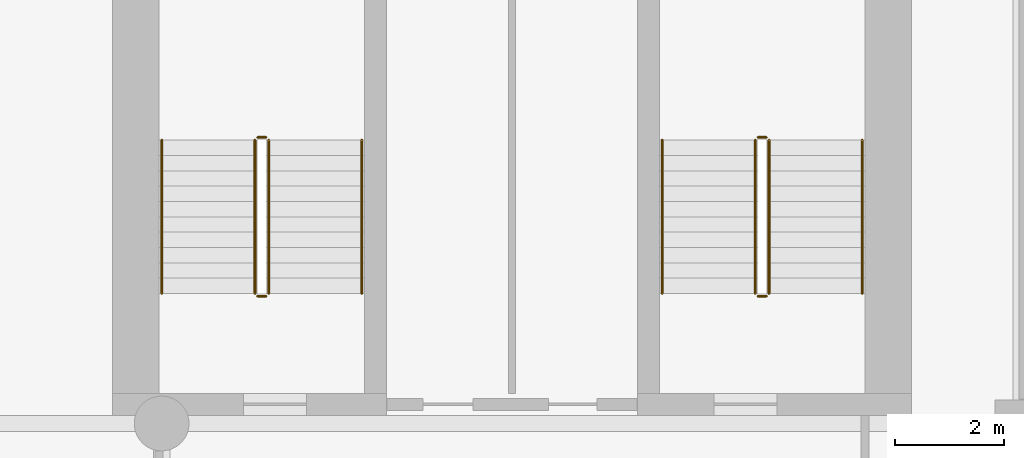
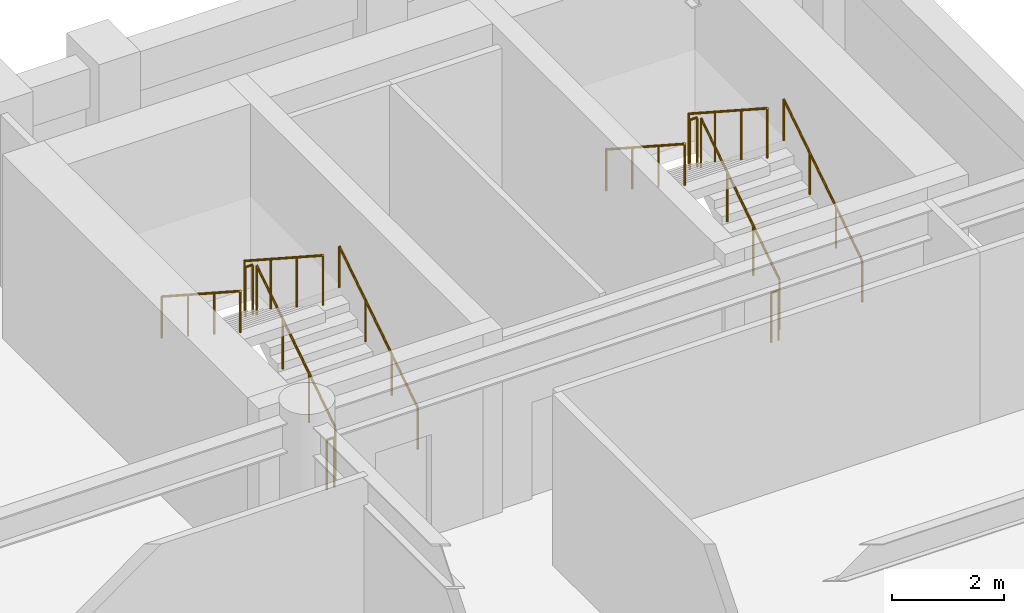
# One storey, part 8 of 8: 12 railings.
"""IFC4 building model written with IfcOpenShell, lengths in metres."""

from ifc_helpers import new_model, si_unit, direction, frame, origin, origin_2d, place, context, subcontext, project, spatial, circle, extrude, material, type_object, element, save


model = new_model("IFC4")

# Units and contexts
model_context = context("Model", 3, precision=1e-05, world=origin(), true_north=direction((0.0, 1.0)))
body_context = subcontext(model_context, "Body", "Model", "MODEL_VIEW")
ifc_project = project(units=[si_unit("LENGTHUNIT", "METRE"), si_unit("AREAUNIT", "SQUARE_METRE"), si_unit("VOLUMEUNIT", "CUBIC_METRE"), si_unit("PLANEANGLEUNIT", "RADIAN"), si_unit("MASSUNIT", "GRAM", prefix="KILO")], contexts=[model_context])

# Site, building, storey
site_placement = place(None, origin())
site = spatial("IfcSite", under=ifc_project, at=site_placement, CompositionType="ELEMENT")
building_placement = place(site_placement, origin())
building = spatial("IfcBuilding", under=site, at=building_placement, Name="Sulina Concourse Tower", CompositionType="ELEMENT")
storey_placement = place(building_placement, frame((0.0, 0.0, 132.60009765625)))
storey = spatial("IfcBuildingStorey", under=building, at=storey_placement, Name="L32", CompositionType="ELEMENT", Elevation=132.60009765625)

# Railings
ifc_material_1 = material(Name="Galvanised steel railing", Category="steel")
railing_type_1 = type_object("IfcRailingType", Name="Core Stair Steel Guardrail 1150mm", PredefinedType="GUARDRAIL", material=ifc_material_1)
railing_1_placement = place(storey_placement, frame((43.554931640625, 36.375, 0.181640625)))
element("IfcRailing", 1, at=railing_1_placement, inside=storey, type_object=railing_type_1, Name="L32 ST-3 stair guard 1", PredefinedType="GUARDRAIL", context=body_context, shape_type="SweptSolid", body=[
    extrude(circle(Radius=0.02392578125, at=origin_2d()), frame((0.0, 0.0, 1.076171875), z_axis=(0.0, 0.838672427954, 0.544636170843), x_axis=(-1.0, 0.0, 0.0)), (0.0, 0.0, 1.0), 3.338623046875),
    extrude(circle(Radius=0.02099609375, at=origin_2d()), origin(), (0.0, 0.0, 1.0), 1.052001953125),
    extrude(circle(Radius=0.02099609375, at=origin_2d()), frame((0.0, 0.933349609375, 0.606201171875)), (0.0, 0.0, 1.0), 1.052001953125),
    extrude(circle(Radius=0.02099609375, at=origin_2d()), frame((0.0, 1.86669921875, 1.212158203125)), (0.0, 0.0, 1.0), 1.052001953125),
    extrude(circle(Radius=0.02099609375, at=origin_2d()), frame((0.0, 2.800048828125, 1.818359375)), (0.0, 0.0, 1.0), 1.052001953125),
])
railing_2_placement = place(storey_placement, frame((43.5048828125, 39.22509765625, 2.0)))
element("IfcRailing", 2, at=railing_2_placement, inside=storey, type_object=railing_type_1, Name="L32 ST-3 stair guard 2", PredefinedType="GUARDRAIL", context=body_context, shape_type="SweptSolid", body=[
    extrude(circle(Radius=0.02392578125, at=origin_2d()), frame((0.0, 0.0, 1.076171875), z_axis=(-1.0, 0.0, 0.0), x_axis=(0.0, -1.0, 0.0)), (0.0, 0.0, 1.0), 0.14990234375),
    extrude(circle(Radius=0.02099609375, at=origin_2d()), origin(), (0.0, 0.0, 1.0), 1.052001953125),
    extrude(circle(Radius=0.02099609375, at=origin_2d()), frame((-0.14990234375, 0.0, 0.0)), (0.0, 0.0, 1.0), 1.052001953125),
])
railing_3_placement = place(storey_placement, frame((43.304931640625, 39.175048828125, 2.181640625)))
element("IfcRailing", 3, at=railing_3_placement, inside=storey, type_object=railing_type_1, Name="L32 ST-3 stair guard 3", PredefinedType="GUARDRAIL", context=body_context, shape_type="SweptSolid", body=[
    extrude(circle(Radius=0.02392578125, at=origin_2d()), frame((0.0, 0.0, 1.076171875), z_axis=(0.0, -0.838672427954, 0.544636170843), x_axis=(1.0, 0.0, 0.0)), (0.0, 0.0, 1.0), 3.338623046875),
    extrude(circle(Radius=0.02099609375, at=origin_2d()), origin(), (0.0, 0.0, 1.0), 1.052001953125),
    extrude(circle(Radius=0.02099609375, at=origin_2d()), frame((0.0, -0.933349609375, 0.606201171875)), (0.0, 0.0, 1.0), 1.052001953125),
    extrude(circle(Radius=0.02099609375, at=origin_2d()), frame((0.0, -1.86669921875, 1.212158203125)), (0.0, 0.0, 1.0), 1.052001953125),
    extrude(circle(Radius=0.02099609375, at=origin_2d()), frame((0.0, -2.800048828125, 1.818359375)), (0.0, 0.0, 1.0), 1.052001953125),
])
railing_4_placement = place(storey_placement, frame((43.5048828125, 36.324951171875, 0.0)))
element("IfcRailing", 4, at=railing_4_placement, inside=storey, type_object=railing_type_1, Name="L32 ST-3 stair guard 4", PredefinedType="GUARDRAIL", context=body_context, shape_type="SweptSolid", body=[
    extrude(circle(Radius=0.02392578125, at=origin_2d()), frame((0.0, 0.0, 1.076171875), z_axis=(-1.0, 0.0, 0.0), x_axis=(0.0, -1.0, 0.0)), (0.0, 0.0, 1.0), 0.14990234375),
    extrude(circle(Radius=0.02099609375, at=origin_2d()), origin(), (0.0, 0.0, 1.0), 1.052001953125),
    extrude(circle(Radius=0.02099609375, at=origin_2d()), frame((-0.14990234375, 0.0, 0.0)), (0.0, 0.0, 1.0), 1.052001953125),
])
railing_5_placement = place(storey_placement, frame((52.695068359375, 36.375, 0.181640625)))
element("IfcRailing", 5, at=railing_5_placement, inside=storey, type_object=railing_type_1, Name="L32 ST-4 stair guard 1", PredefinedType="GUARDRAIL", context=body_context, shape_type="SweptSolid", body=[
    extrude(circle(Radius=0.02392578125, at=origin_2d()), frame((0.0, 0.0, 1.076171875), z_axis=(0.0, 0.838672427954, 0.544636170843), x_axis=(-1.0, 0.0, 0.0)), (0.0, 0.0, 1.0), 3.338623046875),
    extrude(circle(Radius=0.02099609375, at=origin_2d()), origin(), (0.0, 0.0, 1.0), 1.052001953125),
    extrude(circle(Radius=0.02099609375, at=origin_2d()), frame((0.0, 0.933349609375, 0.606201171875)), (0.0, 0.0, 1.0), 1.052001953125),
    extrude(circle(Radius=0.02099609375, at=origin_2d()), frame((0.0, 1.86669921875, 1.212158203125)), (0.0, 0.0, 1.0), 1.052001953125),
    extrude(circle(Radius=0.02099609375, at=origin_2d()), frame((0.0, 2.800048828125, 1.818359375)), (0.0, 0.0, 1.0), 1.052001953125),
])
railing_6_placement = place(storey_placement, frame((52.64501953125, 39.22509765625, 2.0)))
element("IfcRailing", 6, at=railing_6_placement, inside=storey, type_object=railing_type_1, Name="L32 ST-4 stair guard 2", PredefinedType="GUARDRAIL", context=body_context, shape_type="SweptSolid", body=[
    extrude(circle(Radius=0.02392578125, at=origin_2d()), frame((0.0, 0.0, 1.076171875), z_axis=(-1.0, 0.0, 0.0), x_axis=(0.0, -1.0, 0.0)), (0.0, 0.0, 1.0), 0.14990234375),
    extrude(circle(Radius=0.02099609375, at=origin_2d()), origin(), (0.0, 0.0, 1.0), 1.052001953125),
    extrude(circle(Radius=0.02099609375, at=origin_2d()), frame((-0.14990234375, 0.0, 0.0)), (0.0, 0.0, 1.0), 1.052001953125),
])
railing_7_placement = place(storey_placement, frame((52.445068359375, 39.175048828125, 2.181640625)))
element("IfcRailing", 7, at=railing_7_placement, inside=storey, type_object=railing_type_1, Name="L32 ST-4 stair guard 3", PredefinedType="GUARDRAIL", context=body_context, shape_type="SweptSolid", body=[
    extrude(circle(Radius=0.02392578125, at=origin_2d()), frame((0.0, 0.0, 1.076171875), z_axis=(0.0, -0.838672427954, 0.544636170843), x_axis=(1.0, 0.0, 0.0)), (0.0, 0.0, 1.0), 3.338623046875),
    extrude(circle(Radius=0.02099609375, at=origin_2d()), origin(), (0.0, 0.0, 1.0), 1.052001953125),
    extrude(circle(Radius=0.02099609375, at=origin_2d()), frame((0.0, -0.933349609375, 0.606201171875)), (0.0, 0.0, 1.0), 1.052001953125),
    extrude(circle(Radius=0.02099609375, at=origin_2d()), frame((0.0, -1.86669921875, 1.212158203125)), (0.0, 0.0, 1.0), 1.052001953125),
    extrude(circle(Radius=0.02099609375, at=origin_2d()), frame((0.0, -2.800048828125, 1.818359375)), (0.0, 0.0, 1.0), 1.052001953125),
])
railing_8_placement = place(storey_placement, frame((52.64501953125, 36.324951171875, 0.0)))
element("IfcRailing", 8, at=railing_8_placement, inside=storey, type_object=railing_type_1, Name="L32 ST-4 stair guard 4", PredefinedType="GUARDRAIL", context=body_context, shape_type="SweptSolid", body=[
    extrude(circle(Radius=0.02392578125, at=origin_2d()), frame((0.0, 0.0, 1.076171875), z_axis=(-1.0, 0.0, 0.0), x_axis=(0.0, -1.0, 0.0)), (0.0, 0.0, 1.0), 0.14990234375),
    extrude(circle(Radius=0.02099609375, at=origin_2d()), origin(), (0.0, 0.0, 1.0), 1.052001953125),
    extrude(circle(Radius=0.02099609375, at=origin_2d()), frame((-0.14990234375, 0.0, 0.0)), (0.0, 0.0, 1.0), 1.052001953125),
])
ifc_material_2 = material(Name="Galvanised steel railing", Category="steel")
railing_type_2 = type_object("IfcRailingType", Name="Stair Wall Steel Handrail 920mm", PredefinedType="HANDRAIL", material=ifc_material_2)
railing_9_placement = place(storey_placement, frame((45.2548828125, 36.375, 0.181640625)))
element("IfcRailing", 9, at=railing_9_placement, inside=storey, type_object=railing_type_2, Name="L32 ST-3 stair handrail 1", PredefinedType="HANDRAIL", context=body_context, shape_type="SweptSolid", body=[
    extrude(circle(Radius=0.02392578125, at=origin_2d()), frame((0.0, 0.0, 0.89599609375), z_axis=(0.0, 0.838672427954, 0.544636170843), x_axis=(-1.0, 0.0, 0.0)), (0.0, 0.0, 1.0), 3.338623046875),
    extrude(circle(Radius=0.02099609375, at=origin_2d()), origin(), (0.0, 0.0, 1.0), 0.871826171875),
    extrude(circle(Radius=0.02099609375, at=origin_2d()), frame((0.0, 0.933349609375, 0.606201171875)), (0.0, 0.0, 1.0), 0.871826171875),
    extrude(circle(Radius=0.02099609375, at=origin_2d()), frame((0.0, 1.86669921875, 1.212158203125)), (0.0, 0.0, 1.0), 0.871826171875),
    extrude(circle(Radius=0.02099609375, at=origin_2d()), frame((0.0, 2.800048828125, 1.818359375)), (0.0, 0.0, 1.0), 0.871826171875),
])
railing_10_placement = place(storey_placement, frame((41.60498046875, 39.175048828125, 2.181640625)))
element("IfcRailing", 10, at=railing_10_placement, inside=storey, type_object=railing_type_2, Name="L32 ST-3 stair handrail 2", PredefinedType="HANDRAIL", context=body_context, shape_type="SweptSolid", body=[
    extrude(circle(Radius=0.02392578125, at=origin_2d()), frame((0.0, 0.0, 0.89599609375), z_axis=(0.0, -0.838672427954, 0.544636170843), x_axis=(1.0, 0.0, 0.0)), (0.0, 0.0, 1.0), 3.338623046875),
    extrude(circle(Radius=0.02099609375, at=origin_2d()), origin(), (0.0, 0.0, 1.0), 0.871826171875),
    extrude(circle(Radius=0.02099609375, at=origin_2d()), frame((0.0, -0.933349609375, 0.606201171875)), (0.0, 0.0, 1.0), 0.871826171875),
    extrude(circle(Radius=0.02099609375, at=origin_2d()), frame((0.0, -1.86669921875, 1.212158203125)), (0.0, 0.0, 1.0), 0.871826171875),
    extrude(circle(Radius=0.02099609375, at=origin_2d()), frame((0.0, -2.800048828125, 1.818359375)), (0.0, 0.0, 1.0), 0.871826171875),
])
railing_11_placement = place(storey_placement, frame((54.39501953125, 36.375, 0.181640625)))
element("IfcRailing", 11, at=railing_11_placement, inside=storey, type_object=railing_type_2, Name="L32 ST-4 stair handrail 1", PredefinedType="HANDRAIL", context=body_context, shape_type="SweptSolid", body=[
    extrude(circle(Radius=0.02392578125, at=origin_2d()), frame((0.0, 0.0, 0.89599609375), z_axis=(0.0, 0.838672427954, 0.544636170843), x_axis=(-1.0, 0.0, 0.0)), (0.0, 0.0, 1.0), 3.338623046875),
    extrude(circle(Radius=0.02099609375, at=origin_2d()), origin(), (0.0, 0.0, 1.0), 0.871826171875),
    extrude(circle(Radius=0.02099609375, at=origin_2d()), frame((0.0, 0.933349609375, 0.606201171875)), (0.0, 0.0, 1.0), 0.871826171875),
    extrude(circle(Radius=0.02099609375, at=origin_2d()), frame((0.0, 1.86669921875, 1.212158203125)), (0.0, 0.0, 1.0), 0.871826171875),
    extrude(circle(Radius=0.02099609375, at=origin_2d()), frame((0.0, 2.800048828125, 1.818359375)), (0.0, 0.0, 1.0), 0.871826171875),
])
railing_12_placement = place(storey_placement, frame((50.7451171875, 39.175048828125, 2.181640625)))
element("IfcRailing", 12, at=railing_12_placement, inside=storey, type_object=railing_type_2, Name="L32 ST-4 stair handrail 2", PredefinedType="HANDRAIL", context=body_context, shape_type="SweptSolid", body=[
    extrude(circle(Radius=0.02392578125, at=origin_2d()), frame((0.0, 0.0, 0.89599609375), z_axis=(0.0, -0.838672427954, 0.544636170843), x_axis=(1.0, 0.0, 0.0)), (0.0, 0.0, 1.0), 3.338623046875),
    extrude(circle(Radius=0.02099609375, at=origin_2d()), origin(), (0.0, 0.0, 1.0), 0.871826171875),
    extrude(circle(Radius=0.02099609375, at=origin_2d()), frame((0.0, -0.933349609375, 0.606201171875)), (0.0, 0.0, 1.0), 0.871826171875),
    extrude(circle(Radius=0.02099609375, at=origin_2d()), frame((0.0, -1.86669921875, 1.212158203125)), (0.0, 0.0, 1.0), 0.871826171875),
    extrude(circle(Radius=0.02099609375, at=origin_2d()), frame((0.0, -2.800048828125, 1.818359375)), (0.0, 0.0, 1.0), 0.871826171875),
])

save(model, "model.ifc")
